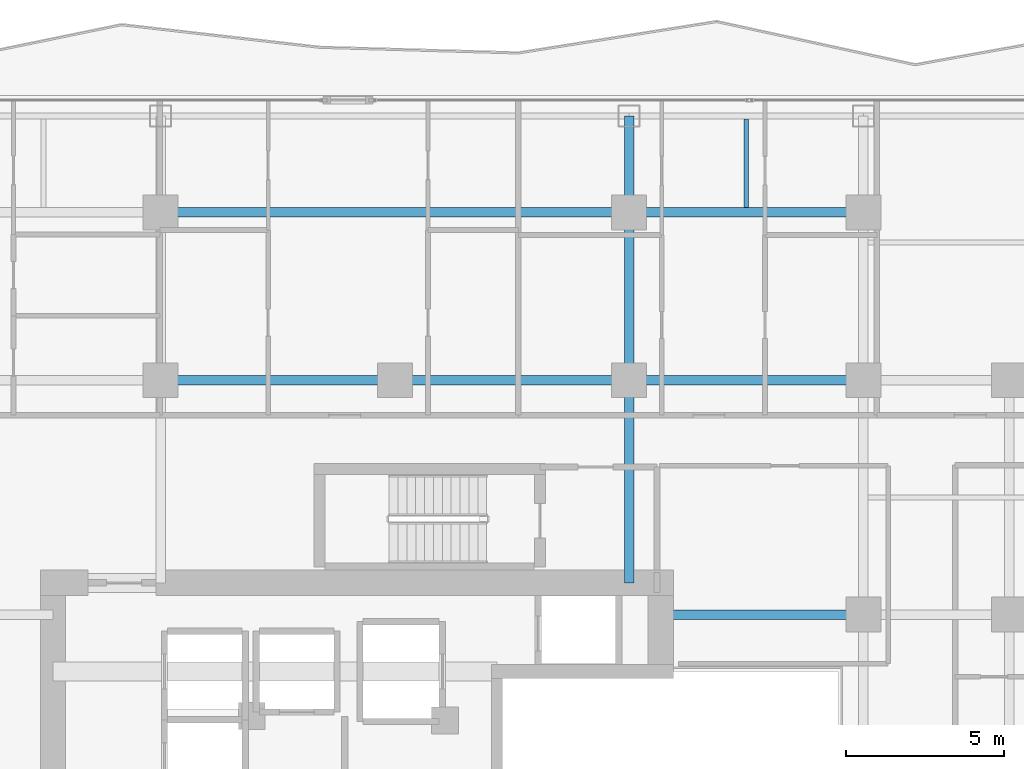
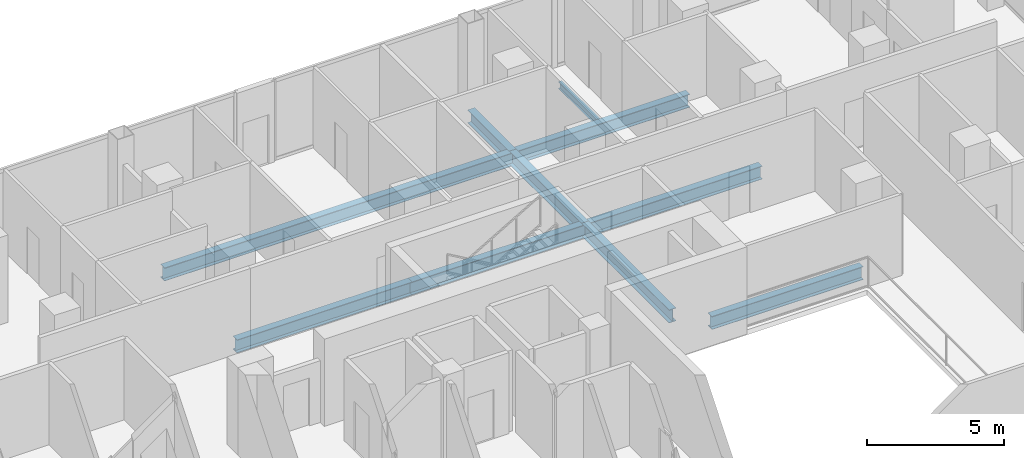
# One storey, part 13 of 27: 10 beams.
"""IFC4 building model written with IfcOpenShell, lengths in metres."""

from ifc_helpers import new_model, si_unit, direction, frame, origin, origin_2d, place, context, subcontext, project, spatial, i_section, extrude, material, material_profile, profile_set, type_object, element, save


model = new_model("IFC4")

# Units and contexts
model_context = context("Model", 3, precision=1e-05, world=origin(), true_north=direction((0.0, 1.0)))
body_context = subcontext(model_context, "Body", "Model", "MODEL_VIEW")
ifc_project = project(units=[si_unit("LENGTHUNIT", "METRE"), si_unit("AREAUNIT", "SQUARE_METRE"), si_unit("VOLUMEUNIT", "CUBIC_METRE"), si_unit("PLANEANGLEUNIT", "RADIAN"), si_unit("MASSUNIT", "GRAM", prefix="KILO")], contexts=[model_context])

# Site, building, storey
site_placement = place(None, origin())
site = spatial("IfcSite", under=ifc_project, at=site_placement, CompositionType="ELEMENT")
building_placement = place(site_placement, origin())
building = spatial("IfcBuilding", under=site, at=building_placement, Name="Khorvyn Point Tower", CompositionType="ELEMENT")
storey_placement = place(building_placement, frame((0.0, 0.0, 164.10009765625)))
storey = spatial("IfcBuildingStorey", under=building, at=storey_placement, Name="L40", CompositionType="ELEMENT", Elevation=164.10009765625)

# Beams
ifc_material = material(Name="Steel S355", Category="steel")
ifc_material_profile_1 = material_profile(ifc_material, i_section(OverallWidth=0.300048828125, OverallDepth=0.587890625, WebThickness=0.011962890625, FlangeThickness=0.02001953125, at=origin_2d()))
ifc_profile_set_1 = profile_set([ifc_material_profile_1], Name="Steel S355 H588x300x12x20")
beam_type_1 = type_object("IfcBeamType", Name="Steel S355 Beam H588x300x12x20", PredefinedType="BEAM", material=ifc_profile_set_1)
for number, where, z_axis, x_axis, name in (
    (1, (-7.39990234375, 14.800048828125, -0.51416015625), (1.0, 0.0, 0.0), (0.0, 1.0, 0.0), "Beam"),
    (2, (0.0, 14.800048828125, -0.51416015625), (1.0, 0.0, 0.0), (0.0, 1.0, 0.0), "Beam"),
):
    element("IfcBeam", number, at=place(storey_placement, frame(where, z_axis=z_axis, x_axis=x_axis)), inside=storey, type_object=beam_type_1, Name=name, PredefinedType="BEAM", context=body_context, shape_type="SweptSolid", body=[
        extrude(i_section(OverallWidth=0.300048828125, OverallDepth=0.587890625, WebThickness=0.011962890625, FlangeThickness=0.02001953125, at=origin_2d()), origin(), (0.0, 0.0, 1.0), 7.39990234375),
    ])
beam_1_placement = place(storey_placement, frame((7.39990234375, 14.800048828125, -0.51416015625), z_axis=(1.0, 0.0, 0.0), x_axis=(0.0, 1.0, 0.0)))
element("IfcBeam", 3, at=beam_1_placement, inside=storey, type_object=beam_type_1, Name="Beam", PredefinedType="BEAM", context=body_context, shape_type="SweptSolid", body=[
    extrude(i_section(OverallWidth=0.300048828125, OverallDepth=0.587890625, WebThickness=0.011962890625, FlangeThickness=0.02001953125, at=origin_2d()), origin(), (0.0, 0.0, 1.0), 7.400146484375),
])
beam_2_placement = place(storey_placement, frame((8.39990234375, 7.39990234375, -0.51416015625), z_axis=(1.0, 0.0, 0.0), x_axis=(0.0, 1.0, 0.0)))
element("IfcBeam", 4, at=beam_2_placement, inside=storey, type_object=beam_type_1, Name="Beam", PredefinedType="BEAM", context=body_context, shape_type="SweptSolid", body=[
    extrude(i_section(OverallWidth=0.300048828125, OverallDepth=0.587890625, WebThickness=0.011962890625, FlangeThickness=0.02001953125, at=origin_2d()), origin(), (0.0, 0.0, 1.0), 6.400146484375),
])
beam_3_placement = place(storey_placement, frame((-7.39990234375, 20.10009765625, -0.51416015625), z_axis=(1.0, 0.0, 0.0), x_axis=(0.0, 1.0, 0.0)))
element("IfcBeam", 5, at=beam_3_placement, inside=storey, type_object=beam_type_1, Name="Beam", PredefinedType="BEAM", context=body_context, shape_type="SweptSolid", body=[
    extrude(i_section(OverallWidth=0.300048828125, OverallDepth=0.587890625, WebThickness=0.011962890625, FlangeThickness=0.02001953125, at=origin_2d()), origin(), (0.0, 0.0, 1.0), 14.7998046875),
])
beam_4_placement = place(storey_placement, frame((7.39990234375, 20.10009765625, -0.51416015625), z_axis=(1.0, 0.0, 0.0), x_axis=(0.0, 1.0, 0.0)))
element("IfcBeam", 6, at=beam_4_placement, inside=storey, type_object=beam_type_1, Name="Beam", PredefinedType="BEAM", context=body_context, shape_type="SweptSolid", body=[
    extrude(i_section(OverallWidth=0.300048828125, OverallDepth=0.587890625, WebThickness=0.011962890625, FlangeThickness=0.02001953125, at=origin_2d()), origin(), (0.0, 0.0, 1.0), 7.400146484375),
])
beam_5_placement = place(storey_placement, frame((7.39990234375, 8.39990234375, -0.51416015625), z_axis=(0.0, 1.0, 0.0), x_axis=(-1.0, 0.0, 0.0)))
element("IfcBeam", 7, at=beam_5_placement, inside=storey, type_object=beam_type_1, Name="Beam", PredefinedType="BEAM", context=body_context, shape_type="SweptSolid", body=[
    extrude(i_section(OverallWidth=0.300048828125, OverallDepth=0.587890625, WebThickness=0.011962890625, FlangeThickness=0.02001953125, at=origin_2d()), origin(), (0.0, 0.0, 1.0), 6.400146484375),
])
beam_6_placement = place(storey_placement, frame((7.39990234375, 14.800048828125, -0.51416015625), z_axis=(0.0, 1.0, 0.0), x_axis=(-1.0, 0.0, 0.0)))
element("IfcBeam", 8, at=beam_6_placement, inside=storey, type_object=beam_type_1, Name="Beam", PredefinedType="BEAM", context=body_context, shape_type="SweptSolid", body=[
    extrude(i_section(OverallWidth=0.300048828125, OverallDepth=0.587890625, WebThickness=0.011962890625, FlangeThickness=0.02001953125, at=origin_2d()), origin(), (0.0, 0.0, 1.0), 5.300048828125),
])
beam_7_placement = place(storey_placement, frame((7.39990234375, 20.10009765625, -0.51416015625), z_axis=(0.0, 1.0, 0.0), x_axis=(-1.0, 0.0, 0.0)))
element("IfcBeam", 9, at=beam_7_placement, inside=storey, type_object=beam_type_1, Name="Beam", PredefinedType="BEAM", context=body_context, shape_type="SweptSolid", body=[
    extrude(i_section(OverallWidth=0.300048828125, OverallDepth=0.587890625, WebThickness=0.011962890625, FlangeThickness=0.02001953125, at=origin_2d()), origin(), (0.0, 0.0, 1.0), 3.0498046875),
])
ifc_material_profile_2 = material_profile(ifc_material, i_section(OverallWidth=0.14990234375, OverallDepth=0.300048828125, WebThickness=0.006591796875, FlangeThickness=0.009033203125, at=origin_2d()))
ifc_profile_set_2 = profile_set([ifc_material_profile_2], Name="Steel S355 H300x150x6.5x9")
beam_type_2 = type_object("IfcBeamType", Name="Steel S355 Joist H300x150x6.5x9", PredefinedType="JOIST", material=ifc_profile_set_2)
beam_8_placement = place(storey_placement, frame((11.10009765625, 20.25, -0.3701171875), z_axis=(0.0, 1.0, 0.0), x_axis=(-1.0, 0.0, 0.0)))
element("IfcBeam", 10, at=beam_8_placement, inside=storey, type_object=beam_type_2, Name="Beam", PredefinedType="JOIST", context=body_context, shape_type="SweptSolid", body=[
    extrude(i_section(OverallWidth=0.14990234375, OverallDepth=0.300048828125, WebThickness=0.006591796875, FlangeThickness=0.009033203125, at=origin_2d()), origin(), (0.0, 0.0, 1.0), 2.800048828125),
])

save(model, "model.ifc")
